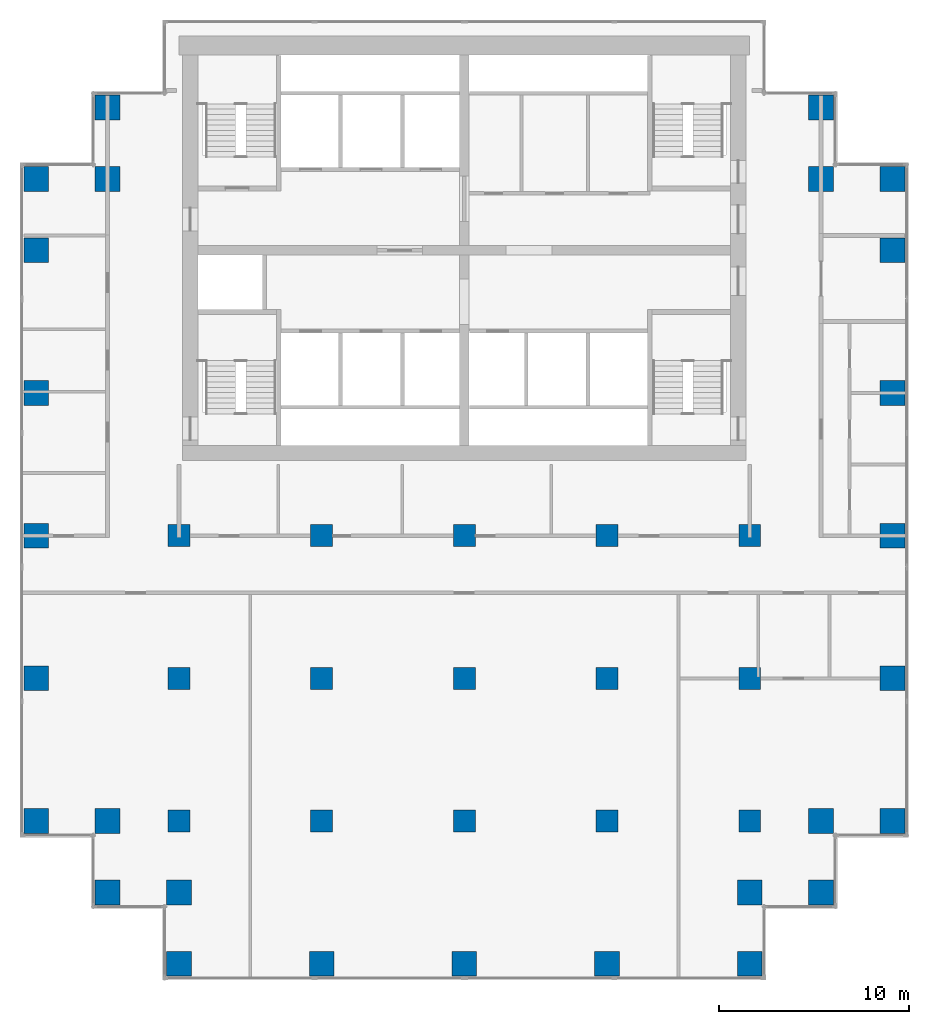
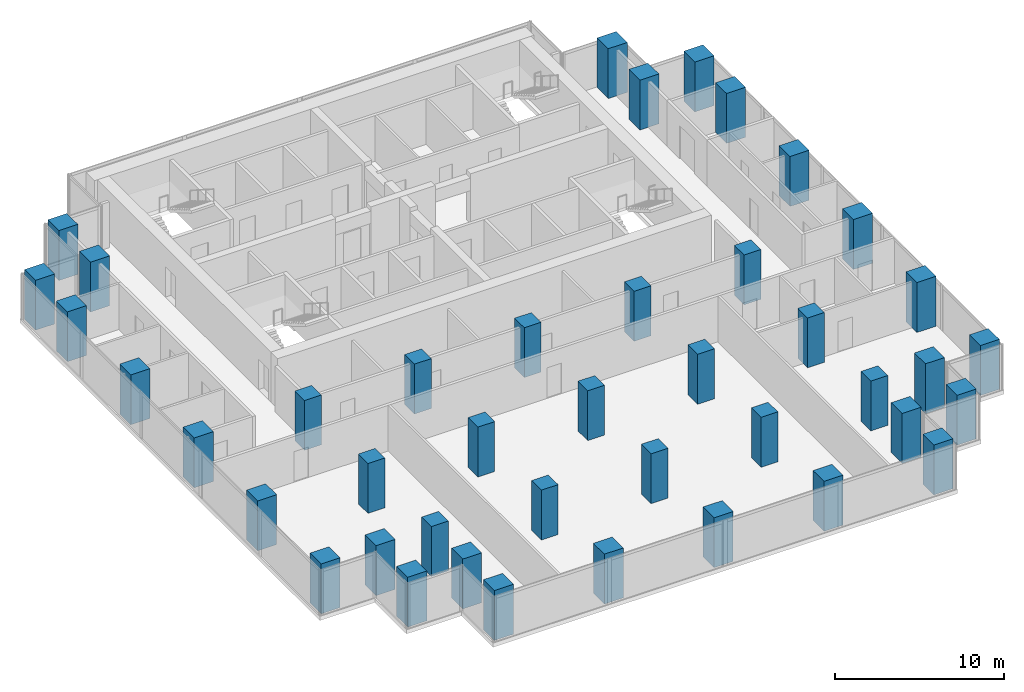
# One storey, part 1 of 10: 42 columns.
"""IFC4 building model written with IfcOpenShell, lengths in metres."""

from ifc_helpers import new_model, si_unit, direction, frame, origin, origin_2d, place, context, subcontext, project, spatial, rectangle, extrude, material, material_profile, profile_set, type_object, element, save


model = new_model("IFC4")

# Units and contexts
model_context = context("Model", 3, precision=1e-05, world=origin(), true_north=direction((0.0, 1.0)))
body_context = subcontext(model_context, "Body", "Model", "MODEL_VIEW")
ifc_project = project(units=[si_unit("LENGTHUNIT", "METRE"), si_unit("AREAUNIT", "SQUARE_METRE"), si_unit("VOLUMEUNIT", "CUBIC_METRE"), si_unit("PLANEANGLEUNIT", "RADIAN"), si_unit("MASSUNIT", "GRAM", prefix="KILO")], contexts=[model_context])

# Site, building, storey
site_placement = place(None, origin())
site = spatial("IfcSite", under=ifc_project, at=site_placement, CompositionType="ELEMENT")
building_placement = place(site_placement, origin())
building = spatial("IfcBuilding", under=site, at=building_placement, Name="Pilkhan Gate Tower", CompositionType="ELEMENT")
storey_placement = place(building_placement, frame((0.0, 0.0, 110.800048828125)))
storey = spatial("IfcBuildingStorey", under=building, at=storey_placement, Name="L27", CompositionType="ELEMENT", Elevation=110.800048828125)

# Columns
ifc_material = material(Name="Concrete C60/75", Category="concrete")
ifc_material_profile_1 = material_profile(ifc_material, rectangle(XDim=1.14990234375, YDim=1.14990234375, at=origin_2d()), Name="RC 1150x1150")
ifc_profile_set_1 = profile_set([ifc_material_profile_1], Name="Concrete C60/75")
column_type_1 = type_object("IfcColumnType", Name="Column C115 RC 1150x1150 C60/75", PredefinedType="COLUMN", material=ifc_profile_set_1)
for number, where, z_axis, x_axis, name in (
    (1, (60.0, 52.5, 0.0), (0.0, 0.0, 1.0), (1.0, 0.0, 0.0), "Column 7/D L27"),
    (2, (60.0, 60.0, 0.0), (0.0, 0.0, 1.0), (1.0, 0.0, 0.0), "Column 7/F L27"),
    (3, (60.0, 67.5, 0.0), (0.0, 0.0, 1.0), (1.0, 0.0, 0.0), "Column 7/H L27"),
    (4, (67.5, 52.5, 0.0), (0.0, 0.0, 1.0), (1.0, 0.0, 0.0), "Column 9/D L27"),
    (5, (67.5, 60.0, 0.0), (0.0, 0.0, 1.0), (1.0, 0.0, 0.0), "Column 9/F L27"),
    (6, (67.5, 67.5, 0.0), (0.0, 0.0, 1.0), (1.0, 0.0, 0.0), "Column 9/H L27"),
    (7, (75.0, 52.5, 0.0), (0.0, 0.0, 1.0), (1.0, 0.0, 0.0), "Column 11/D L27"),
    (8, (75.0, 60.0, 0.0), (0.0, 0.0, 1.0), (1.0, 0.0, 0.0), "Column 11/F L27"),
    (9, (75.0, 67.5, 0.0), (0.0, 0.0, 1.0), (1.0, 0.0, 0.0), "Column 11/H L27"),
    (10, (82.5, 52.5, 0.0), (0.0, 0.0, 1.0), (1.0, 0.0, 0.0), "Column 13/D L27"),
    (11, (82.5, 60.0, 0.0), (0.0, 0.0, 1.0), (1.0, 0.0, 0.0), "Column 13/F L27"),
    (12, (82.5, 67.5, 0.0), (0.0, 0.0, 1.0), (1.0, 0.0, 0.0), "Column 13/H L27"),
    (13, (90.0, 52.5, 0.0), (0.0, 0.0, 1.0), (1.0, 0.0, 0.0), "Column 15/D L27"),
    (14, (90.0, 60.0, 0.0), (0.0, 0.0, 1.0), (1.0, 0.0, 0.0), "Column 15/F L27"),
    (15, (90.0, 67.5, 0.0), (0.0, 0.0, 1.0), (1.0, 0.0, 0.0), "Column 15/H L27"),
):
    element("IfcColumn", number, at=place(storey_placement, frame(where, z_axis=z_axis, x_axis=x_axis)), inside=storey, type_object=column_type_1, Name=name, PredefinedType="COLUMN", context=body_context, shape_type="SweptSolid", body=[
        extrude(rectangle(XDim=1.14990234375, YDim=1.14990234375, at=origin_2d()), origin(), (0.0, 0.0, 1.0), 3.599853515625),
    ])
ifc_material_profile_2 = material_profile(ifc_material, rectangle(XDim=1.300048828125, YDim=1.300048828125, at=origin_2d()), Name="RC 1300x1300")
ifc_profile_set_2 = profile_set([ifc_material_profile_2], Name="Concrete C60/75")
column_type_2 = type_object("IfcColumnType", Name="Column C130 RC 1300x1300 C60/75", PredefinedType="COLUMN", material=ifc_profile_set_2)
for number, where, z_axis, x_axis, name in (
    (16, (52.5, 52.5, 0.0), (0.0, 0.0, 1.0), (1.0, 0.0, 0.0), "Column 5/D L27"),
    (17, (52.5, 60.0, 0.0), (0.0, 0.0, 1.0), (1.0, 0.0, 0.0), "Column 5/F L27"),
    (18, (52.5, 67.5, 0.0), (0.0, 0.0, 1.0), (1.0, 0.0, 0.0), "Column 5/H L27"),
    (19, (52.5, 75.0, 0.0), (0.0, 0.0, 1.0), (1.0, 0.0, 0.0), "Column 5/K L27"),
    (20, (52.5, 82.5, 0.0), (0.0, 0.0, 1.0), (1.0, 0.0, 0.0), "Column 5/M L27"),
    (21, (52.5, 86.25, 0.0), (0.0, 0.0, 1.0), (1.0, 0.0, 0.0), "Column 5/N L27"),
    (22, (56.25, 48.75, 0.0), (0.0, 0.0, 1.0), (1.0, 0.0, 0.0), "Column 6/C L27"),
    (23, (56.25, 52.5, 0.0), (0.0, 0.0, 1.0), (1.0, 0.0, 0.0), "Column 6/D L27"),
    (24, (56.25, 86.25, 0.0), (0.0, 0.0, 1.0), (1.0, 0.0, 0.0), "Column 6/N L27"),
    (25, (56.25, 90.0, 0.0), (0.0, 0.0, 1.0), (1.0, 0.0, 0.0), "Column 6/P L27"),
    (26, (60.0, 45.0, 0.0), (0.0, 0.0, 1.0), (1.0, 0.0, 0.0), "Column 7/B L27"),
    (27, (60.0, 48.75, 0.0), (0.0, 0.0, 1.0), (1.0, 0.0, 0.0), "Column 7/C L27"),
    (28, (67.5, 45.0, 0.0), (0.0, 0.0, 1.0), (1.0, 0.0, 0.0), "Column 9/B L27"),
    (29, (75.0, 45.0, 0.0), (0.0, 0.0, 1.0), (1.0, 0.0, 0.0), "Column 11/B L27"),
    (30, (82.5, 45.0, 0.0), (0.0, 0.0, 1.0), (1.0, 0.0, 0.0), "Column 13/B L27"),
    (31, (90.0, 45.0, 0.0), (0.0, 0.0, 1.0), (1.0, 0.0, 0.0), "Column 15/B L27"),
    (32, (90.0, 48.75, 0.0), (0.0, 0.0, 1.0), (1.0, 0.0, 0.0), "Column 15/C L27"),
    (33, (93.75, 48.75, 0.0), (0.0, 0.0, 1.0), (1.0, 0.0, 0.0), "Column 16/C L27"),
    (34, (93.75, 52.5, 0.0), (0.0, 0.0, 1.0), (1.0, 0.0, 0.0), "Column 16/D L27"),
    (35, (93.75, 86.25, 0.0), (0.0, 0.0, 1.0), (1.0, 0.0, 0.0), "Column 16/N L27"),
    (36, (93.75, 90.0, 0.0), (0.0, 0.0, 1.0), (1.0, 0.0, 0.0), "Column 16/P L27"),
    (37, (97.5, 52.5, 0.0), (0.0, 0.0, 1.0), (1.0, 0.0, 0.0), "Column 17/D L27"),
    (38, (97.5, 60.0, 0.0), (0.0, 0.0, 1.0), (1.0, 0.0, 0.0), "Column 17/F L27"),
    (39, (97.5, 67.5, 0.0), (0.0, 0.0, 1.0), (1.0, 0.0, 0.0), "Column 17/H L27"),
    (40, (97.5, 75.0, 0.0), (0.0, 0.0, 1.0), (1.0, 0.0, 0.0), "Column 17/K L27"),
    (41, (97.5, 82.5, 0.0), (0.0, 0.0, 1.0), (1.0, 0.0, 0.0), "Column 17/M L27"),
    (42, (97.5, 86.25, 0.0), (0.0, 0.0, 1.0), (1.0, 0.0, 0.0), "Column 17/N L27"),
):
    element("IfcColumn", number, at=place(storey_placement, frame(where, z_axis=z_axis, x_axis=x_axis)), inside=storey, type_object=column_type_2, Name=name, PredefinedType="COLUMN", context=body_context, shape_type="SweptSolid", body=[
        extrude(rectangle(XDim=1.300048828125, YDim=1.300048828125, at=origin_2d()), origin(), (0.0, 0.0, 1.0), 3.599853515625),
    ])

save(model, "model.ifc")
